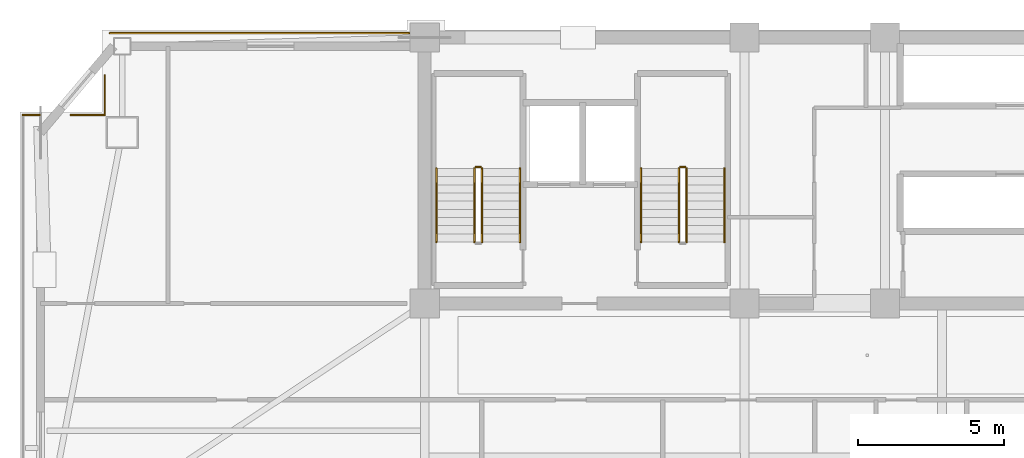
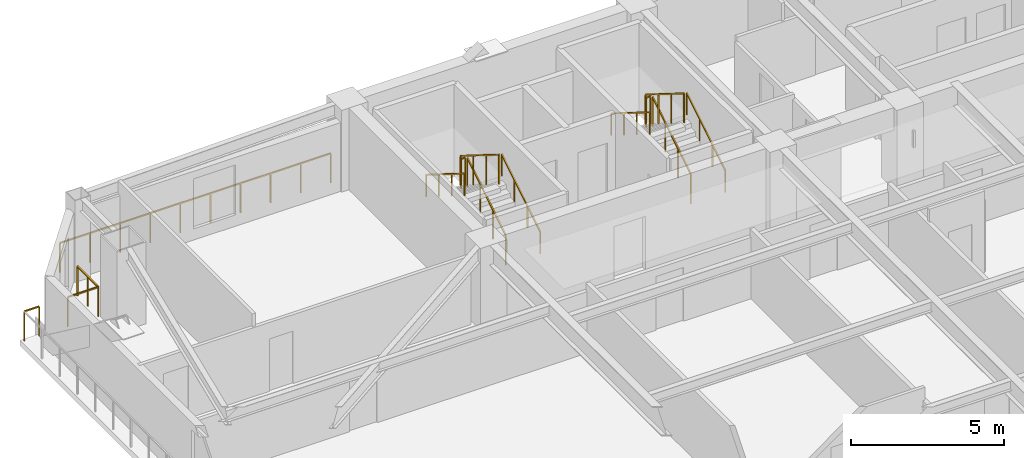
# One storey, part 16 of 17: 14 railings.
"""IFC4 building model written with IfcOpenShell, lengths in metres."""

from ifc_helpers import new_model, si_unit, direction, frame, origin, origin_2d, place, context, subcontext, project, spatial, rectangle, extrude, material, type_object, element, save


model = new_model("IFC4")

# Units and contexts
model_context = context("Model", 3, precision=1e-05, world=origin(), true_north=direction((0.0, 1.0)))
body_context = subcontext(model_context, "Body", "Model", "MODEL_VIEW")
ifc_project = project(units=[si_unit("LENGTHUNIT", "METRE"), si_unit("AREAUNIT", "SQUARE_METRE"), si_unit("VOLUMEUNIT", "CUBIC_METRE"), si_unit("PLANEANGLEUNIT", "RADIAN"), si_unit("MASSUNIT", "GRAM", prefix="KILO")], contexts=[model_context])

# Site, building, storey
site_placement = place(None, origin())
site = spatial("IfcSite", under=ifc_project, at=site_placement, CompositionType="ELEMENT")
building_placement = place(site_placement, origin())
building = spatial("IfcBuilding", under=site, at=building_placement, Name="Giltprow Tower", CompositionType="ELEMENT")
storey_placement = place(building_placement, frame((0.0, 0.0, 202.699951171875)))
storey = spatial("IfcBuildingStorey", under=building, at=storey_placement, Name="L51", CompositionType="ELEMENT", Elevation=202.699951171875)

# Railings
ifc_material = material(Name="Anodized bronze", Category="metal")
railing_type_1 = type_object("IfcRailingType", Name="RAIL-BALC-GUARD-1200", PredefinedType="BALUSTRADE", material=ifc_material)
railing_1_placement = place(storey_placement, frame((6.10302734375, 43.89990234375, 0.0)))
element("IfcRailing", 1, at=railing_1_placement, inside=storey, type_object=railing_type_1, Name="L51 Corner Apron Edge Balustrade 14", PredefinedType="BALUSTRADE", context=body_context, shape_type="SweptSolid", body=[
    extrude(rectangle(XDim=0.048095703125, YDim=0.048095703125, at=origin_2d()), frame((0.0, 0.0, 1.17578125), z_axis=(1.0, 0.0, 0.0), x_axis=(0.0, 1.0, 0.0)), (0.0, 0.0, 1.0), 0.571044921875),
    extrude(rectangle(XDim=0.0419921875, YDim=0.0419921875, at=origin_2d()), origin(), (0.0, 0.0, 1.0), 1.15185546875),
    extrude(rectangle(XDim=0.0419921875, YDim=0.0419921875, at=origin_2d()), frame((0.571044921875, 0.0, 0.0)), (0.0, 0.0, 1.0), 1.15185546875),
])
railing_2_placement = place(storey_placement, frame((7.7490234375, 43.89990234375, 0.0)))
element("IfcRailing", 2, at=railing_2_placement, inside=storey, type_object=railing_type_1, Name="L51 Corner Apron Edge Balustrade 15", PredefinedType="BALUSTRADE", context=body_context, shape_type="SweptSolid", body=[
    extrude(rectangle(XDim=0.048095703125, YDim=0.048095703125, at=origin_2d()), frame((0.0, 0.0, 1.17578125), z_axis=(1.0, 0.0, 0.0), x_axis=(0.0, 1.0, 0.0)), (0.0, 0.0, 1.0), 1.154052734375),
    extrude(rectangle(XDim=0.0419921875, YDim=0.0419921875, at=origin_2d()), origin(), (0.0, 0.0, 1.0), 1.15185546875),
    extrude(rectangle(XDim=0.0419921875, YDim=0.0419921875, at=origin_2d()), frame((1.154052734375, 0.0, 0.0)), (0.0, 0.0, 1.0), 1.15185546875),
])
railing_3_placement = place(storey_placement, frame((8.903076171875, 43.89990234375, 0.0)))
element("IfcRailing", 3, at=railing_3_placement, inside=storey, type_object=railing_type_1, Name="L51 Corner Apron Edge Balustrade 16", PredefinedType="BALUSTRADE", context=body_context, shape_type="SweptSolid", body=[
    extrude(rectangle(XDim=0.048095703125, YDim=0.048095703125, at=origin_2d()), frame((0.0, 0.0, 1.17578125), z_axis=(0.0, 1.0, 0.0), x_axis=(-1.0, 0.0, 0.0)), (0.0, 0.0, 1.0), 1.362060546875),
    extrude(rectangle(XDim=0.0419921875, YDim=0.0419921875, at=origin_2d()), origin(), (0.0, 0.0, 1.0), 1.15185546875),
    extrude(rectangle(XDim=0.0419921875, YDim=0.0419921875, at=origin_2d()), frame((0.0, 0.68115234375, 0.0)), (0.0, 0.0, 1.0), 1.15185546875),
    extrude(rectangle(XDim=0.0419921875, YDim=0.0419921875, at=origin_2d()), frame((0.0, 1.362060546875, 0.0)), (0.0, 0.0, 1.0), 1.15185546875),
])
railing_4_placement = place(storey_placement, frame((9.073974609375, 46.699951171875, 0.0)))
element("IfcRailing", 4, at=railing_4_placement, inside=storey, type_object=railing_type_1, Name="L51 Corner Apron Edge Balustrade 17", PredefinedType="BALUSTRADE", context=body_context, shape_type="SweptSolid", body=[
    extrude(rectangle(XDim=0.048095703125, YDim=0.048095703125, at=origin_2d()), frame((0.0, 0.0, 1.17578125), z_axis=(1.0, 0.0, 0.0), x_axis=(0.0, 1.0, 0.0)), (0.0, 0.0, 1.0), 10.240966796875),
    extrude(rectangle(XDim=0.0419921875, YDim=0.0419921875, at=origin_2d()), origin(), (0.0, 0.0, 1.0), 1.15185546875),
    extrude(rectangle(XDim=0.0419921875, YDim=0.0419921875, at=origin_2d()), frame((1.137939453125, 0.0, 0.0)), (0.0, 0.0, 1.0), 1.15185546875),
    extrude(rectangle(XDim=0.0419921875, YDim=0.0419921875, at=origin_2d()), frame((2.27587890625, 0.0, 0.0)), (0.0, 0.0, 1.0), 1.15185546875),
    extrude(rectangle(XDim=0.0419921875, YDim=0.0419921875, at=origin_2d()), frame((3.41357421875, 0.0, 0.0)), (0.0, 0.0, 1.0), 1.15185546875),
    extrude(rectangle(XDim=0.0419921875, YDim=0.0419921875, at=origin_2d()), frame((4.551513671875, 0.0, 0.0)), (0.0, 0.0, 1.0), 1.15185546875),
    extrude(rectangle(XDim=0.0419921875, YDim=0.0419921875, at=origin_2d()), frame((5.689453125, 0.0, 0.0)), (0.0, 0.0, 1.0), 1.15185546875),
    extrude(rectangle(XDim=0.0419921875, YDim=0.0419921875, at=origin_2d()), frame((6.827392578125, 0.0, 0.0)), (0.0, 0.0, 1.0), 1.15185546875),
    extrude(rectangle(XDim=0.0419921875, YDim=0.0419921875, at=origin_2d()), frame((7.965087890625, 0.0, 0.0)), (0.0, 0.0, 1.0), 1.15185546875),
    extrude(rectangle(XDim=0.0419921875, YDim=0.0419921875, at=origin_2d()), frame((9.10302734375, 0.0, 0.0)), (0.0, 0.0, 1.0), 1.15185546875),
    extrude(rectangle(XDim=0.0419921875, YDim=0.0419921875, at=origin_2d()), frame((10.240966796875, 0.0, 0.0)), (0.0, 0.0, 1.0), 1.15185546875),
])
railing_type_2 = type_object("IfcRailingType", Name="RAIL-STAIR-GUARD-1200", PredefinedType="GUARDRAIL", material=ifc_material)
railing_5_placement = place(storey_placement, frame((21.81005859375, 39.550048828125, 0.175048828125)))
element("IfcRailing", 5, at=railing_5_placement, inside=storey, type_object=railing_type_2, Name="L51 ST-1 stair guard 1", PredefinedType="GUARDRAIL", context=body_context, shape_type="SweptSolid", body=[
    extrude(rectangle(XDim=0.048095703125, YDim=0.048095703125, at=origin_2d()), frame((0.0, 0.0, 1.17578125), z_axis=(0.0, 0.848007534815, 0.529984170421), x_axis=(-1.0, 0.0, 0.0)), (0.0, 0.0, 1.0), 2.9716796875),
    extrude(rectangle(XDim=0.0419921875, YDim=0.0419921875, at=origin_2d()), origin(), (0.0, 0.0, 1.0), 1.15185546875),
    extrude(rectangle(XDim=0.0419921875, YDim=0.0419921875, at=origin_2d()), frame((0.0, 0.840087890625, 0.52490234375)), (0.0, 0.0, 1.0), 1.15185546875),
    extrude(rectangle(XDim=0.0419921875, YDim=0.0419921875, at=origin_2d()), frame((0.0, 1.679931640625, 1.050048828125)), (0.0, 0.0, 1.0), 1.15185546875),
    extrude(rectangle(XDim=0.0419921875, YDim=0.0419921875, at=origin_2d()), frame((0.0, 2.52001953125, 1.574951171875)), (0.0, 0.0, 1.0), 1.15185546875),
])
railing_6_placement = place(storey_placement, frame((21.760009765625, 42.1201171875, 1.75)))
element("IfcRailing", 6, at=railing_6_placement, inside=storey, type_object=railing_type_2, Name="L51 ST-1 stair guard 2", PredefinedType="GUARDRAIL", context=body_context, shape_type="SweptSolid", body=[
    extrude(rectangle(XDim=0.048095703125, YDim=0.048095703125, at=origin_2d()), frame((0.0, 0.0, 1.17578125), z_axis=(-1.0, 0.0, 0.0), x_axis=(0.0, -1.0, 0.0)), (0.0, 0.0, 1.0), 0.159912109375),
    extrude(rectangle(XDim=0.0419921875, YDim=0.0419921875, at=origin_2d()), origin(), (0.0, 0.0, 1.0), 1.15185546875),
    extrude(rectangle(XDim=0.0419921875, YDim=0.0419921875, at=origin_2d()), frame((-0.159912109375, 0.0, 0.0)), (0.0, 0.0, 1.0), 1.15185546875),
])
railing_7_placement = place(storey_placement, frame((21.550048828125, 42.070068359375, 1.925048828125)))
element("IfcRailing", 7, at=railing_7_placement, inside=storey, type_object=railing_type_2, Name="L51 ST-1 stair guard 3", PredefinedType="GUARDRAIL", context=body_context, shape_type="SweptSolid", body=[
    extrude(rectangle(XDim=0.048095703125, YDim=0.048095703125, at=origin_2d()), frame((0.0, 0.0, 1.17578125), z_axis=(0.0, -0.848007534815, 0.529984170421), x_axis=(1.0, 0.0, 0.0)), (0.0, 0.0, 1.0), 2.9716796875),
    extrude(rectangle(XDim=0.0419921875, YDim=0.0419921875, at=origin_2d()), origin(), (0.0, 0.0, 1.0), 1.15185546875),
    extrude(rectangle(XDim=0.0419921875, YDim=0.0419921875, at=origin_2d()), frame((0.0, -0.840087890625, 0.52490234375)), (0.0, 0.0, 1.0), 1.15185546875),
    extrude(rectangle(XDim=0.0419921875, YDim=0.0419921875, at=origin_2d()), frame((0.0, -1.679931640625, 1.050048828125)), (0.0, 0.0, 1.0), 1.15185546875),
    extrude(rectangle(XDim=0.0419921875, YDim=0.0419921875, at=origin_2d()), frame((0.0, -2.52001953125, 1.574951171875)), (0.0, 0.0, 1.0), 1.15185546875),
])
railing_8_placement = place(storey_placement, frame((28.81005859375, 39.550048828125, 0.175048828125)))
element("IfcRailing", 8, at=railing_8_placement, inside=storey, type_object=railing_type_2, Name="L51 ST-2 stair guard 1", PredefinedType="GUARDRAIL", context=body_context, shape_type="SweptSolid", body=[
    extrude(rectangle(XDim=0.048095703125, YDim=0.048095703125, at=origin_2d()), frame((0.0, 0.0, 1.17578125), z_axis=(0.0, 0.848007534815, 0.529984170421), x_axis=(-1.0, 0.0, 0.0)), (0.0, 0.0, 1.0), 2.9716796875),
    extrude(rectangle(XDim=0.0419921875, YDim=0.0419921875, at=origin_2d()), origin(), (0.0, 0.0, 1.0), 1.15185546875),
    extrude(rectangle(XDim=0.0419921875, YDim=0.0419921875, at=origin_2d()), frame((0.0, 0.840087890625, 0.52490234375)), (0.0, 0.0, 1.0), 1.15185546875),
    extrude(rectangle(XDim=0.0419921875, YDim=0.0419921875, at=origin_2d()), frame((0.0, 1.679931640625, 1.050048828125)), (0.0, 0.0, 1.0), 1.15185546875),
    extrude(rectangle(XDim=0.0419921875, YDim=0.0419921875, at=origin_2d()), frame((0.0, 2.52001953125, 1.574951171875)), (0.0, 0.0, 1.0), 1.15185546875),
])
railing_9_placement = place(storey_placement, frame((28.760009765625, 42.1201171875, 1.75)))
element("IfcRailing", 9, at=railing_9_placement, inside=storey, type_object=railing_type_2, Name="L51 ST-2 stair guard 2", PredefinedType="GUARDRAIL", context=body_context, shape_type="SweptSolid", body=[
    extrude(rectangle(XDim=0.048095703125, YDim=0.048095703125, at=origin_2d()), frame((0.0, 0.0, 1.17578125), z_axis=(-1.0, 0.0, 0.0), x_axis=(0.0, -1.0, 0.0)), (0.0, 0.0, 1.0), 0.159912109375),
    extrude(rectangle(XDim=0.0419921875, YDim=0.0419921875, at=origin_2d()), origin(), (0.0, 0.0, 1.0), 1.15185546875),
    extrude(rectangle(XDim=0.0419921875, YDim=0.0419921875, at=origin_2d()), frame((-0.159912109375, 0.0, 0.0)), (0.0, 0.0, 1.0), 1.15185546875),
])
railing_10_placement = place(storey_placement, frame((28.550048828125, 42.070068359375, 1.925048828125)))
element("IfcRailing", 10, at=railing_10_placement, inside=storey, type_object=railing_type_2, Name="L51 ST-2 stair guard 3", PredefinedType="GUARDRAIL", context=body_context, shape_type="SweptSolid", body=[
    extrude(rectangle(XDim=0.048095703125, YDim=0.048095703125, at=origin_2d()), frame((0.0, 0.0, 1.17578125), z_axis=(0.0, -0.848007534815, 0.529984170421), x_axis=(1.0, 0.0, 0.0)), (0.0, 0.0, 1.0), 2.9716796875),
    extrude(rectangle(XDim=0.0419921875, YDim=0.0419921875, at=origin_2d()), origin(), (0.0, 0.0, 1.0), 1.15185546875),
    extrude(rectangle(XDim=0.0419921875, YDim=0.0419921875, at=origin_2d()), frame((0.0, -0.840087890625, 0.52490234375)), (0.0, 0.0, 1.0), 1.15185546875),
    extrude(rectangle(XDim=0.0419921875, YDim=0.0419921875, at=origin_2d()), frame((0.0, -1.679931640625, 1.050048828125)), (0.0, 0.0, 1.0), 1.15185546875),
    extrude(rectangle(XDim=0.0419921875, YDim=0.0419921875, at=origin_2d()), frame((0.0, -2.52001953125, 1.574951171875)), (0.0, 0.0, 1.0), 1.15185546875),
])
railing_type_3 = type_object("IfcRailingType", Name="RAIL-STAIR-HAND-900", PredefinedType="HANDRAIL", material=ifc_material)
railing_11_placement = place(storey_placement, frame((23.110107421875, 39.550048828125, 0.175048828125)))
element("IfcRailing", 11, at=railing_11_placement, inside=storey, type_object=railing_type_3, Name="L51 ST-1 stair handrail 1", PredefinedType="HANDRAIL", context=body_context, shape_type="SweptSolid", body=[
    extrude(rectangle(XDim=0.048095703125, YDim=0.048095703125, at=origin_2d()), frame((0.0, 0.0, 0.8759765625), z_axis=(0.0, 0.848007534815, 0.529984170421), x_axis=(-1.0, 0.0, 0.0)), (0.0, 0.0, 1.0), 2.9716796875),
    extrude(rectangle(XDim=0.0419921875, YDim=0.0419921875, at=origin_2d()), origin(), (0.0, 0.0, 1.0), 0.851806640625),
    extrude(rectangle(XDim=0.0419921875, YDim=0.0419921875, at=origin_2d()), frame((0.0, 0.840087890625, 0.52490234375)), (0.0, 0.0, 1.0), 0.851806640625),
    extrude(rectangle(XDim=0.0419921875, YDim=0.0419921875, at=origin_2d()), frame((0.0, 1.679931640625, 1.050048828125)), (0.0, 0.0, 1.0), 0.851806640625),
    extrude(rectangle(XDim=0.0419921875, YDim=0.0419921875, at=origin_2d()), frame((0.0, 2.52001953125, 1.574951171875)), (0.0, 0.0, 1.0), 0.851806640625),
])
railing_12_placement = place(storey_placement, frame((20.25, 42.070068359375, 1.925048828125)))
element("IfcRailing", 12, at=railing_12_placement, inside=storey, type_object=railing_type_3, Name="L51 ST-1 stair handrail 2", PredefinedType="HANDRAIL", context=body_context, shape_type="SweptSolid", body=[
    extrude(rectangle(XDim=0.048095703125, YDim=0.048095703125, at=origin_2d()), frame((0.0, 0.0, 0.8759765625), z_axis=(0.0, -0.848007534815, 0.529984170421), x_axis=(1.0, 0.0, 0.0)), (0.0, 0.0, 1.0), 2.9716796875),
    extrude(rectangle(XDim=0.0419921875, YDim=0.0419921875, at=origin_2d()), origin(), (0.0, 0.0, 1.0), 0.851806640625),
    extrude(rectangle(XDim=0.0419921875, YDim=0.0419921875, at=origin_2d()), frame((0.0, -0.840087890625, 0.52490234375)), (0.0, 0.0, 1.0), 0.851806640625),
    extrude(rectangle(XDim=0.0419921875, YDim=0.0419921875, at=origin_2d()), frame((0.0, -1.679931640625, 1.050048828125)), (0.0, 0.0, 1.0), 0.851806640625),
    extrude(rectangle(XDim=0.0419921875, YDim=0.0419921875, at=origin_2d()), frame((0.0, -2.52001953125, 1.574951171875)), (0.0, 0.0, 1.0), 0.851806640625),
])
railing_13_placement = place(storey_placement, frame((30.110107421875, 39.550048828125, 0.175048828125)))
element("IfcRailing", 13, at=railing_13_placement, inside=storey, type_object=railing_type_3, Name="L51 ST-2 stair handrail 1", PredefinedType="HANDRAIL", context=body_context, shape_type="SweptSolid", body=[
    extrude(rectangle(XDim=0.048095703125, YDim=0.048095703125, at=origin_2d()), frame((0.0, 0.0, 0.8759765625), z_axis=(0.0, 0.848007534815, 0.529984170421), x_axis=(-1.0, 0.0, 0.0)), (0.0, 0.0, 1.0), 2.9716796875),
    extrude(rectangle(XDim=0.0419921875, YDim=0.0419921875, at=origin_2d()), origin(), (0.0, 0.0, 1.0), 0.851806640625),
    extrude(rectangle(XDim=0.0419921875, YDim=0.0419921875, at=origin_2d()), frame((0.0, 0.840087890625, 0.52490234375)), (0.0, 0.0, 1.0), 0.851806640625),
    extrude(rectangle(XDim=0.0419921875, YDim=0.0419921875, at=origin_2d()), frame((0.0, 1.679931640625, 1.050048828125)), (0.0, 0.0, 1.0), 0.851806640625),
    extrude(rectangle(XDim=0.0419921875, YDim=0.0419921875, at=origin_2d()), frame((0.0, 2.52001953125, 1.574951171875)), (0.0, 0.0, 1.0), 0.851806640625),
])
railing_14_placement = place(storey_placement, frame((27.25, 42.070068359375, 1.925048828125)))
element("IfcRailing", 14, at=railing_14_placement, inside=storey, type_object=railing_type_3, Name="L51 ST-2 stair handrail 2", PredefinedType="HANDRAIL", context=body_context, shape_type="SweptSolid", body=[
    extrude(rectangle(XDim=0.048095703125, YDim=0.048095703125, at=origin_2d()), frame((0.0, 0.0, 0.8759765625), z_axis=(0.0, -0.848007534815, 0.529984170421), x_axis=(1.0, 0.0, 0.0)), (0.0, 0.0, 1.0), 2.9716796875),
    extrude(rectangle(XDim=0.0419921875, YDim=0.0419921875, at=origin_2d()), origin(), (0.0, 0.0, 1.0), 0.851806640625),
    extrude(rectangle(XDim=0.0419921875, YDim=0.0419921875, at=origin_2d()), frame((0.0, -0.840087890625, 0.52490234375)), (0.0, 0.0, 1.0), 0.851806640625),
    extrude(rectangle(XDim=0.0419921875, YDim=0.0419921875, at=origin_2d()), frame((0.0, -1.679931640625, 1.050048828125)), (0.0, 0.0, 1.0), 0.851806640625),
    extrude(rectangle(XDim=0.0419921875, YDim=0.0419921875, at=origin_2d()), frame((0.0, -2.52001953125, 1.574951171875)), (0.0, 0.0, 1.0), 0.851806640625),
])

save(model, "model.ifc")
